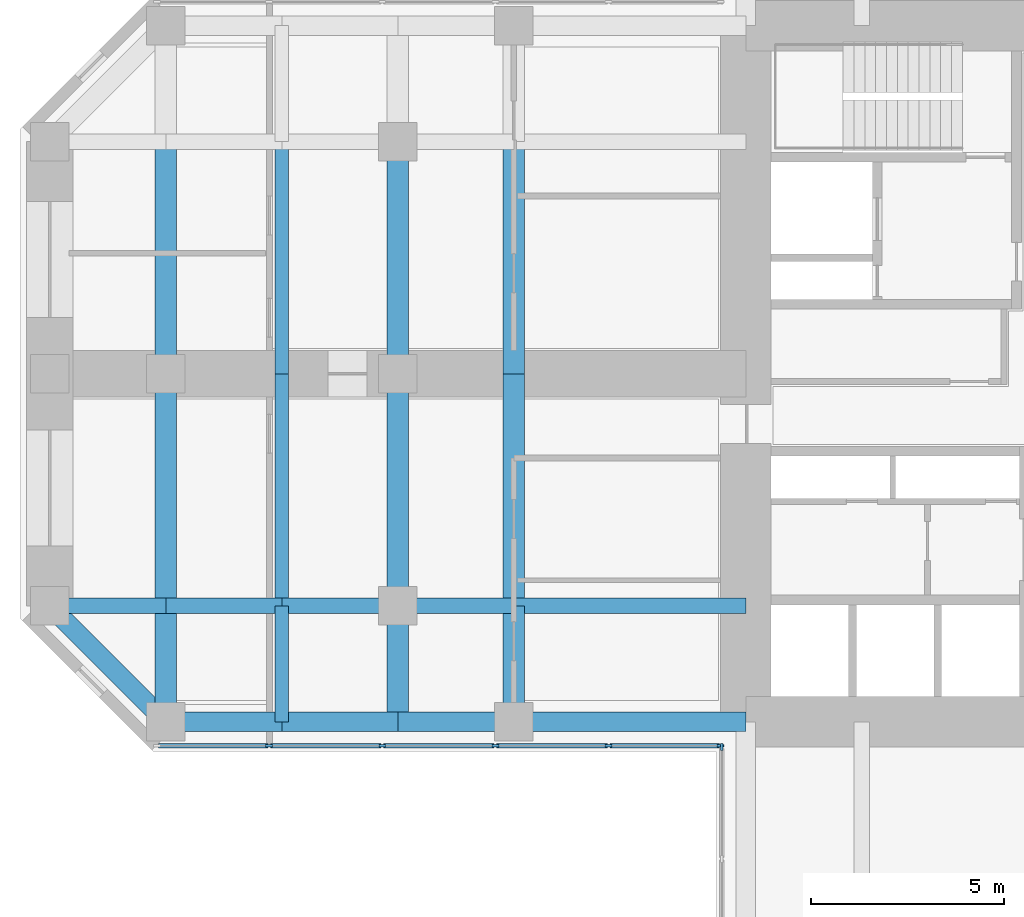
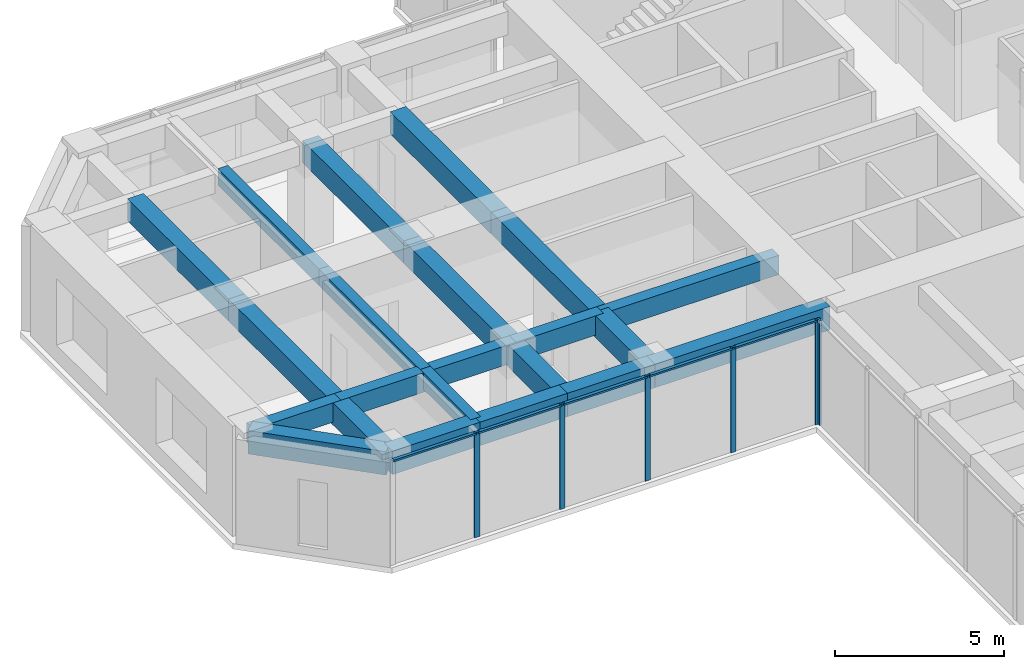
# One storey, part 3 of 13: 22 beams, 11 members, 2 elements without a shape of their own.
"""IFC4 building model written with IfcOpenShell, lengths in metres."""

from ifc_helpers import new_model, si_unit, direction, frame, origin, origin_2d, place, context, subcontext, project, spatial, rectangle, extrude, material, material_profile, profile_set, type_object, element, aggregate, save


model = new_model("IFC4")

# Units and contexts
model_context = context("Model", 3, precision=1e-05, world=origin(), true_north=direction((0.0, 1.0)))
body_context = subcontext(model_context, "Body", "Model", "MODEL_VIEW")
ifc_project = project(units=[si_unit("LENGTHUNIT", "METRE"), si_unit("AREAUNIT", "SQUARE_METRE"), si_unit("VOLUMEUNIT", "CUBIC_METRE"), si_unit("PLANEANGLEUNIT", "RADIAN"), si_unit("MASSUNIT", "GRAM", prefix="KILO")], contexts=[model_context])

# Site, building, storey
site_placement = place(None, origin())
site = spatial("IfcSite", under=ifc_project, at=site_placement, CompositionType="ELEMENT")
building_placement = place(site_placement, origin())
building = spatial("IfcBuilding", under=site, at=building_placement, Name="Torre Cruceta", CompositionType="ELEMENT")
storey_placement = place(building_placement, frame((0.0, 0.0, 128.5)))
storey = spatial("IfcBuildingStorey", under=building, at=storey_placement, Name="L31", CompositionType="ELEMENT", Elevation=128.5)

# Beams
ifc_material_1 = material(Name="Concrete G60 (fck 60 MPa)", Category="concrete")
ifc_material_profile_1 = material_profile(ifc_material_1, rectangle(XDim=0.39990234375, YDim=0.699951171875, at=origin_2d()), Name="RC 400X700")
ifc_profile_set_1 = profile_set([ifc_material_profile_1], Name="Concrete G60 (fck 60 MPa)")
beam_type_1 = type_object("IfcBeamType", Name="COLUMN LINE BEAM RC 400X700", PredefinedType="BEAM", material=ifc_profile_set_1)
beam_1_placement = place(storey_placement, frame((-9.0, -6.0, 3.449951171875), z_axis=(-1.0, 0.0, 0.0), x_axis=(0.0, -1.0, 0.0)))
element("IfcBeam", 1, at=beam_1_placement, inside=storey, type_object=beam_type_1, Name="LB5 L31 W col+ 1", PredefinedType="BEAM", context=body_context, shape_type="SweptSolid", body=[
    extrude(rectangle(XDim=0.39990234375, YDim=0.699951171875, at=origin_2d()), origin(), (0.0, 0.0, 1.0), 6.0),
])
for number, where, z_axis, x_axis, name in (
    (2, (-15.0, -6.0, 3.449951171875), (-1.0, 0.0, 0.0), (0.0, -1.0, 0.0), "LB5 L31 W col+ 2"),
    (3, (-18.0, -6.0, 3.449951171875), (-1.0, 0.0, 0.0), (0.0, -1.0, 0.0), "LB5 L31 W col+ 3"),
    (4, (-21.0, -6.0, 3.449951171875), (-1.0, 0.0, 0.0), (0.0, -1.0, 0.0), "LB5 L31 W col+ 4"),
    (5, (-24.0, -6.0, 3.449951171875), (-1.0, 0.0, 0.0), (0.0, -1.0, 0.0), "LB5 L31 W col+ 5"),
):
    element("IfcBeam", number, at=place(storey_placement, frame(where, z_axis=z_axis, x_axis=x_axis)), inside=storey, type_object=beam_type_1, Name=name, PredefinedType="BEAM", context=body_context, shape_type="SweptSolid", body=[
        extrude(rectangle(XDim=0.39990234375, YDim=0.699951171875, at=origin_2d()), origin(), (0.0, 0.0, 1.0), 3.0),
    ])
ifc_material_2 = material(Name="Concrete G60 (fck 60 MPa)", Category="concrete")
ifc_material_profile_2 = material_profile(ifc_material_2, rectangle(XDim=0.550048828125, YDim=0.800048828125, at=origin_2d()), Name="RC 550X800")
ifc_profile_set_2 = profile_set([ifc_material_profile_2], Name="Concrete G60 (fck 60 MPa)")
beam_type_2 = type_object("IfcBeamType", Name="CROSS BEAM RC 550X800", PredefinedType="BEAM", material=ifc_profile_set_2)
for number, where, z_axis, x_axis, name in (
    (6, (-15.0, 6.0, 3.39990234375), (0.0, -1.0, 0.0), (1.0, 0.0, 0.0), "GB5 L31 W cross15 2"),
    (7, (-15.0, 0.0, 3.39990234375), (0.0, -1.0, 0.0), (1.0, 0.0, 0.0), "GB5 L31 W cross15 3"),
):
    element("IfcBeam", number, at=place(storey_placement, frame(where, z_axis=z_axis, x_axis=x_axis)), inside=storey, type_object=beam_type_2, Name=name, PredefinedType="BEAM", context=body_context, shape_type="SweptSolid", body=[
        extrude(rectangle(XDim=0.550048828125, YDim=0.800048828125, at=origin_2d()), origin(), (0.0, 0.0, 1.0), 6.0),
    ])
beam_2_placement = place(storey_placement, frame((-15.0, -6.0, 3.39990234375), z_axis=(0.0, -1.0, 0.0), x_axis=(1.0, 0.0, 0.0)))
element("IfcBeam", 8, at=beam_2_placement, inside=storey, type_object=beam_type_2, Name="GB5 L31 W cross15 4", PredefinedType="BEAM", context=body_context, shape_type="SweptSolid", body=[
    extrude(rectangle(XDim=0.550048828125, YDim=0.800048828125, at=origin_2d()), origin(), (0.0, 0.0, 1.0), 3.0),
])
for number, where, z_axis, x_axis, name in (
    (9, (-18.0, 6.0, 3.39990234375), (0.0, -1.0, 0.0), (1.0, 0.0, 0.0), "GB5 L31 W cross18 2"),
    (10, (-18.0, 0.0, 3.39990234375), (0.0, -1.0, 0.0), (1.0, 0.0, 0.0), "GB5 L31 W cross18 3"),
):
    element("IfcBeam", number, at=place(storey_placement, frame(where, z_axis=z_axis, x_axis=x_axis)), inside=storey, type_object=beam_type_2, Name=name, PredefinedType="BEAM", context=body_context, shape_type="SweptSolid", body=[
        extrude(rectangle(XDim=0.550048828125, YDim=0.800048828125, at=origin_2d()), origin(), (0.0, 0.0, 1.0), 6.0),
    ])
beam_3_placement = place(storey_placement, frame((-18.0, -6.0, 3.39990234375), z_axis=(0.0, -1.0, 0.0), x_axis=(1.0, 0.0, 0.0)))
element("IfcBeam", 11, at=beam_3_placement, inside=storey, type_object=beam_type_2, Name="GB5 L31 W cross18 4", PredefinedType="BEAM", context=body_context, shape_type="SweptSolid", body=[
    extrude(rectangle(XDim=0.550048828125, YDim=0.800048828125, at=origin_2d()), origin(), (0.0, 0.0, 1.0), 3.0),
])
for number, where, z_axis, x_axis, name in (
    (12, (-24.0, 6.0, 3.39990234375), (0.0, -1.0, 0.0), (1.0, 0.0, 0.0), "GB5 L31 W cross24 2"),
    (13, (-24.0, 0.0, 3.39990234375), (0.0, -1.0, 0.0), (1.0, 0.0, 0.0), "GB5 L31 W cross24 3"),
):
    element("IfcBeam", number, at=place(storey_placement, frame(where, z_axis=z_axis, x_axis=x_axis)), inside=storey, type_object=beam_type_2, Name=name, PredefinedType="BEAM", context=body_context, shape_type="SweptSolid", body=[
        extrude(rectangle(XDim=0.550048828125, YDim=0.800048828125, at=origin_2d()), origin(), (0.0, 0.0, 1.0), 6.0),
    ])
beam_4_placement = place(storey_placement, frame((-24.0, -6.0, 3.39990234375), z_axis=(0.0, -1.0, 0.0), x_axis=(1.0, 0.0, 0.0)))
element("IfcBeam", 14, at=beam_4_placement, inside=storey, type_object=beam_type_2, Name="GB5 L31 W cross24 4", PredefinedType="BEAM", context=body_context, shape_type="SweptSolid", body=[
    extrude(rectangle(XDim=0.550048828125, YDim=0.800048828125, at=origin_2d()), origin(), (0.0, 0.0, 1.0), 3.0),
])

# Curtain wall, members
ifc_material_3 = material(Name="Aluminium unitised curtain wall", Category="aluminium")
curtain_wall_type = type_object("IfcCurtainWallType", Name="CURTAIN WALL CW-B OFFICE MID RISE", PredefinedType="USERDEFINED", material=ifc_material_3)
curtain_wall_1_placement = place(storey_placement, origin())
curtain_wall_1 = element("IfcCurtainWall", 15, at=curtain_wall_1_placement, inside=storey, type_object=curtain_wall_type, Name="CW-B L31 W side 14", ObjectType="UNITISED", PredefinedType="USERDEFINED")
ifc_material_4 = material(Name="Aluminium mullion", Category="aluminium")
ifc_material_profile_3 = material_profile(ifc_material_4, rectangle(XDim=0.06494140625, YDim=0.179931640625, at=origin_2d()), Name="AL 65X180")
ifc_profile_set_3 = profile_set([ifc_material_profile_3], Name="Aluminium mullion")
member_type_1 = type_object("IfcMemberType", Name="CW-B MULLION 65X180", PredefinedType="MULLION", material=ifc_profile_set_3)
member_1_placement = place(storey_placement, frame((-21.329345703125, -9.6201171875, 0.0), z_axis=(0.0, 0.0, 1.0), x_axis=(0.0, 1.0, 0.0)))
member_1 = element("IfcMember", 16, at=member_1_placement, type_object=member_type_1, Name="CW-B mullion 2", PredefinedType="MULLION", context=body_context, shape_type="SweptSolid", body=[
    extrude(rectangle(XDim=0.06494140625, YDim=0.179931640625, at=origin_2d()), origin(), (0.0, 0.0, 1.0), 3.800048828125),
])
member_2_placement = place(storey_placement, frame((-18.402099609375, -9.6201171875, 0.0), z_axis=(0.0, 0.0, 1.0), x_axis=(0.0, 1.0, 0.0)))
member_2 = element("IfcMember", 17, at=member_2_placement, type_object=member_type_1, Name="CW-B mullion 3", PredefinedType="MULLION", context=body_context, shape_type="SweptSolid", body=[
    extrude(rectangle(XDim=0.06494140625, YDim=0.179931640625, at=origin_2d()), origin(), (0.0, 0.0, 1.0), 3.800048828125),
])
member_3_placement = place(storey_placement, frame((-15.474609375, -9.6201171875, 0.0), z_axis=(0.0, 0.0, 1.0), x_axis=(0.0, 1.0, 0.0)))
member_3 = element("IfcMember", 18, at=member_3_placement, type_object=member_type_1, Name="CW-B mullion 4", PredefinedType="MULLION", context=body_context, shape_type="SweptSolid", body=[
    extrude(rectangle(XDim=0.06494140625, YDim=0.179931640625, at=origin_2d()), origin(), (0.0, 0.0, 1.0), 3.800048828125),
])
member_4_placement = place(storey_placement, frame((-12.54736328125, -9.6201171875, 0.0), z_axis=(0.0, 0.0, 1.0), x_axis=(0.0, 1.0, 0.0)))
member_4 = element("IfcMember", 19, at=member_4_placement, type_object=member_type_1, Name="CW-B mullion 5", PredefinedType="MULLION", context=body_context, shape_type="SweptSolid", body=[
    extrude(rectangle(XDim=0.06494140625, YDim=0.179931640625, at=origin_2d()), origin(), (0.0, 0.0, 1.0), 3.800048828125),
])
member_5_placement = place(storey_placement, frame((-9.652587890625, -9.6201171875, 0.0), z_axis=(0.0, 0.0, 1.0), x_axis=(0.0, 1.0, 0.0)))
member_5 = element("IfcMember", 20, at=member_5_placement, type_object=member_type_1, Name="CW-B mullion 6", PredefinedType="MULLION", context=body_context, shape_type="SweptSolid", body=[
    extrude(rectangle(XDim=0.06494140625, YDim=0.179931640625, at=origin_2d()), origin(), (0.0, 0.0, 1.0), 3.800048828125),
])

# Curtain wall, member
curtain_wall_2_placement = place(storey_placement, origin())
curtain_wall_2 = element("IfcCurtainWall", 21, at=curtain_wall_2_placement, inside=storey, type_object=curtain_wall_type, Name="CW-B L31 S side 15", ObjectType="UNITISED", PredefinedType="USERDEFINED")
member_6_placement = place(storey_placement, frame((-9.6201171875, -9.652587890625, 0.0), z_axis=(0.0, 0.0, 1.0), x_axis=(1.0, 0.0, 0.0)))
member_6 = element("IfcMember", 22, at=member_6_placement, type_object=member_type_1, Name="CW-B mullion 1", PredefinedType="MULLION", context=body_context, shape_type="SweptSolid", body=[
    extrude(rectangle(XDim=0.06494140625, YDim=0.179931640625, at=origin_2d()), origin(), (0.0, 0.0, 1.0), 3.800048828125),
])
aggregate(curtain_wall_2, [member_6])

# Member
ifc_material_5 = material(Name="Aluminium transom", Category="aluminium")
ifc_material_profile_4 = material_profile(ifc_material_5, rectangle(XDim=0.110107421875, YDim=0.06494140625, at=origin_2d()), Name="AL 110X65")
ifc_profile_set_4 = profile_set([ifc_material_profile_4], Name="Aluminium transom")
member_type_2 = type_object("IfcMemberType", Name="CW-B TRANSOM 65X110", PredefinedType="USERDEFINED", material=ifc_profile_set_4)
member_7_placement = place(storey_placement, frame((-24.19189453125, -9.6201171875, 3.767578125), z_axis=(1.0, 0.0, 0.0), x_axis=(0.0, 1.0, 0.0)))
member_7 = element("IfcMember", 23, at=member_7_placement, type_object=member_type_2, Name="CW-B transom 1", ObjectType="TRANSOM", PredefinedType="USERDEFINED", context=body_context, shape_type="SweptSolid", body=[
    extrude(rectangle(XDim=0.110107421875, YDim=0.06494140625, at=origin_2d()), origin(), (0.0, 0.0, 1.0), 2.829833984375),
])

member_8_placement = place(storey_placement, frame((-21.296875, -9.6201171875, 3.767578125), z_axis=(1.0, 0.0, 0.0), x_axis=(0.0, 1.0, 0.0)))
member_8 = element("IfcMember", 24, at=member_8_placement, type_object=member_type_2, Name="CW-B transom 2", ObjectType="TRANSOM", PredefinedType="USERDEFINED", context=body_context, shape_type="SweptSolid", body=[
    extrude(rectangle(XDim=0.110107421875, YDim=0.06494140625, at=origin_2d()), origin(), (0.0, 0.0, 1.0), 2.8623046875),
])

member_9_placement = place(storey_placement, frame((-18.36962890625, -9.6201171875, 3.767578125), z_axis=(1.0, 0.0, 0.0), x_axis=(0.0, 1.0, 0.0)))
member_9 = element("IfcMember", 25, at=member_9_placement, type_object=member_type_2, Name="CW-B transom 3", ObjectType="TRANSOM", PredefinedType="USERDEFINED", context=body_context, shape_type="SweptSolid", body=[
    extrude(rectangle(XDim=0.110107421875, YDim=0.06494140625, at=origin_2d()), origin(), (0.0, 0.0, 1.0), 2.8623046875),
])

member_10_placement = place(storey_placement, frame((-15.442138671875, -9.6201171875, 3.767578125), z_axis=(1.0, 0.0, 0.0), x_axis=(0.0, 1.0, 0.0)))
member_10 = element("IfcMember", 26, at=member_10_placement, type_object=member_type_2, Name="CW-B transom 4", ObjectType="TRANSOM", PredefinedType="USERDEFINED", context=body_context, shape_type="SweptSolid", body=[
    extrude(rectangle(XDim=0.110107421875, YDim=0.06494140625, at=origin_2d()), origin(), (0.0, 0.0, 1.0), 2.8623046875),
])

member_11_placement = place(storey_placement, frame((-12.514892578125, -9.6201171875, 3.767578125), z_axis=(1.0, 0.0, 0.0), x_axis=(0.0, 1.0, 0.0)))
member_11 = element("IfcMember", 27, at=member_11_placement, type_object=member_type_2, Name="CW-B transom 5", ObjectType="TRANSOM", PredefinedType="USERDEFINED", context=body_context, shape_type="SweptSolid", body=[
    extrude(rectangle(XDim=0.110107421875, YDim=0.06494140625, at=origin_2d()), origin(), (0.0, 0.0, 1.0), 2.829833984375),
])

aggregate(curtain_wall_1, [member_1, member_2, member_3, member_4, member_5, member_7, member_8, member_9, member_10, member_11])

# Beams
ifc_material_6 = material(Name="Concrete G60 (fck 60 MPa)", Category="concrete")
ifc_material_profile_5 = material_profile(ifc_material_6, rectangle(XDim=0.35009765625, YDim=0.60009765625, at=origin_2d()), Name="RC 350X600")
ifc_profile_set_5 = profile_set([ifc_material_profile_5], Name="Concrete G60 (fck 60 MPa)")
beam_type_3 = type_object("IfcBeamType", Name="SECONDARY BEAM RC 350X600", PredefinedType="JOIST", material=ifc_profile_set_5)
for number, where, z_axis, x_axis, name in (
    (28, (-21.0, 6.0, 3.5), (0.0, -1.0, 0.0), (1.0, 0.0, 0.0), "JB5 L31 W sec21 2"),
    (29, (-21.0, 0.0, 3.5), (0.0, -1.0, 0.0), (1.0, 0.0, 0.0), "JB5 L31 W sec21 3"),
):
    element("IfcBeam", number, at=place(storey_placement, frame(where, z_axis=z_axis, x_axis=x_axis)), inside=storey, type_object=beam_type_3, Name=name, PredefinedType="JOIST", context=body_context, shape_type="SweptSolid", body=[
        extrude(rectangle(XDim=0.35009765625, YDim=0.60009765625, at=origin_2d()), origin(), (0.0, 0.0, 1.0), 6.0),
    ])
beam_5_placement = place(storey_placement, frame((-21.0, -6.0, 3.5), z_axis=(0.0, -1.0, 0.0), x_axis=(1.0, 0.0, 0.0)))
element("IfcBeam", 30, at=beam_5_placement, inside=storey, type_object=beam_type_3, Name="JB5 L31 W sec21 4", PredefinedType="JOIST", context=body_context, shape_type="SweptSolid", body=[
    extrude(rectangle(XDim=0.35009765625, YDim=0.60009765625, at=origin_2d()), origin(), (0.0, 0.0, 1.0), 3.0),
])
ifc_material_7 = material(Name="Concrete G60 (fck 60 MPa)", Category="concrete")
ifc_material_profile_6 = material_profile(ifc_material_7, rectangle(XDim=0.5, YDim=0.85009765625, at=origin_2d()), Name="RC 500X850")
ifc_profile_set_6 = profile_set([ifc_material_profile_6], Name="Concrete G60 (fck 60 MPa)")
beam_type_4 = type_object("IfcBeamType", Name="SPANDREL BEAM RC 500X850", PredefinedType="SPANDREL", material=ifc_profile_set_6)
beam_6_placement = place(storey_placement, frame((-9.0, -9.0, 3.375), z_axis=(-1.0, 0.0, 0.0), x_axis=(0.0, -1.0, 0.0)))
element("IfcBeam", 31, at=beam_6_placement, inside=storey, type_object=beam_type_4, Name="SB5 L31 W side+ 1", PredefinedType="SPANDREL", context=body_context, shape_type="SweptSolid", body=[
    extrude(rectangle(XDim=0.5, YDim=0.85009765625, at=origin_2d()), origin(), (0.0, 0.0, 1.0), 6.0),
])
for number, where, z_axis, x_axis, name in (
    (32, (-15.0, -9.0, 3.375), (-1.0, 0.0, 0.0), (0.0, -1.0, 0.0), "SB5 L31 W side+ 2"),
    (33, (-18.0, -9.0, 3.375), (-1.0, 0.0, 0.0), (0.0, -1.0, 0.0), "SB5 L31 W side+ 3"),
    (34, (-21.0, -9.0, 3.375), (-1.0, 0.0, 0.0), (0.0, -1.0, 0.0), "SB5 L31 W side+ 4"),
):
    element("IfcBeam", number, at=place(storey_placement, frame(where, z_axis=z_axis, x_axis=x_axis)), inside=storey, type_object=beam_type_4, Name=name, PredefinedType="SPANDREL", context=body_context, shape_type="SweptSolid", body=[
        extrude(rectangle(XDim=0.5, YDim=0.85009765625, at=origin_2d()), origin(), (0.0, 0.0, 1.0), 3.0),
    ])
beam_7_placement = place(storey_placement, frame((-24.0, -9.0, 3.375), z_axis=(-0.707106781187, 0.707106781187, 0.0), x_axis=(-0.707106781187, -0.707106781187, 0.0)))
element("IfcBeam", 35, at=beam_7_placement, inside=storey, type_object=beam_type_4, Name="SB5 L31 W side+ 5", PredefinedType="SPANDREL", context=body_context, shape_type="SweptSolid", body=[
    extrude(rectangle(XDim=0.5, YDim=0.85009765625, at=origin_2d()), origin(), (0.0, 0.0, 1.0), 4.24267578125),
])

save(model, "model.ifc")
